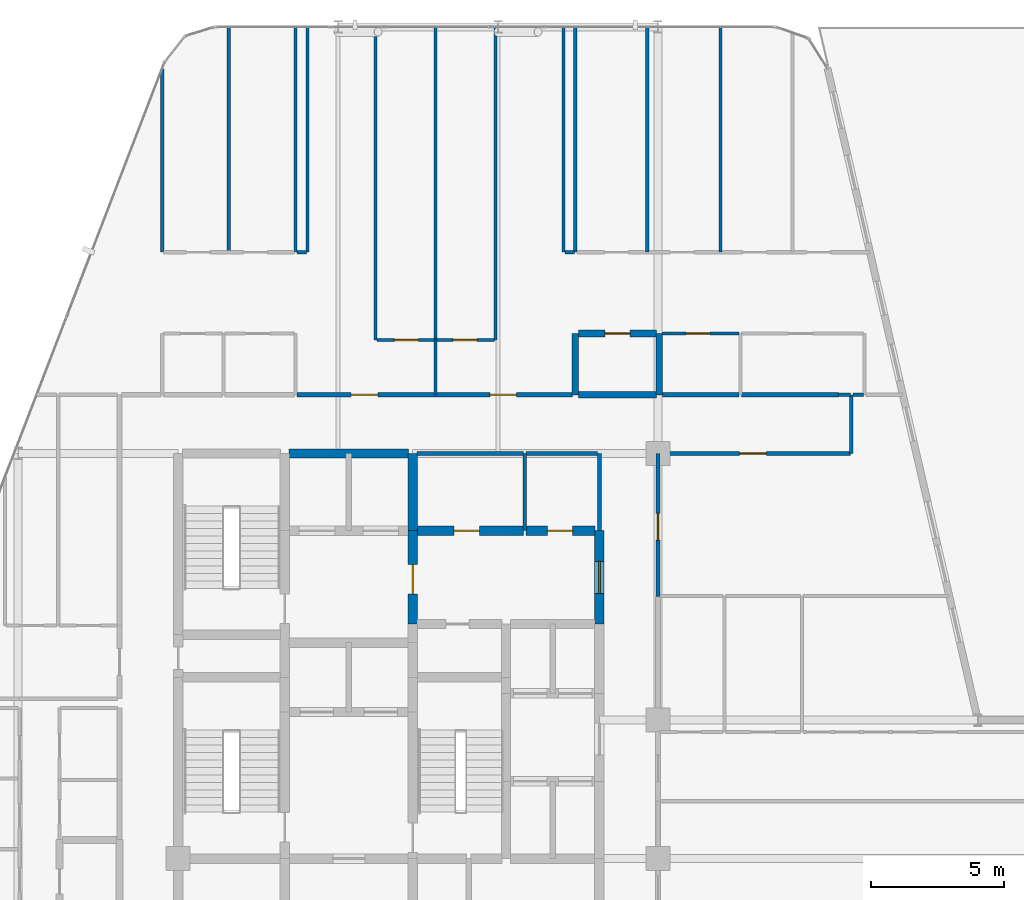
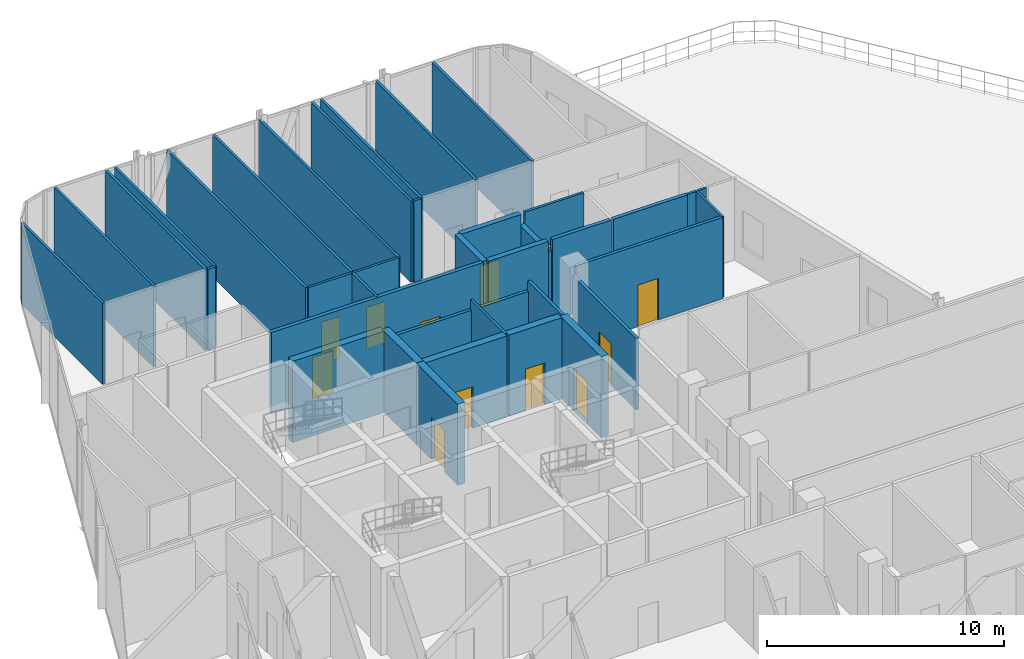
# One storey, part 25 of 28: 38 walls, 12 doors, 12 openings.
"""IFC4 building model written with IfcOpenShell, lengths in metres."""

from ifc_helpers import new_model, si_unit, direction, frame, frame_2d, origin, place, context, subcontext, project, spatial, rectangle, extrude, material, layer, layer_set, type_object, element, fill, save


model = new_model("IFC4")

# Units and contexts
model_context = context("Model", 3, precision=1e-05, world=origin(), true_north=direction((0.0, 1.0)))
body_context = subcontext(model_context, "Body", "Model", "MODEL_VIEW")
ifc_project = project(units=[si_unit("LENGTHUNIT", "METRE"), si_unit("AREAUNIT", "SQUARE_METRE"), si_unit("VOLUMEUNIT", "CUBIC_METRE"), si_unit("PLANEANGLEUNIT", "RADIAN"), si_unit("MASSUNIT", "GRAM", prefix="KILO")], contexts=[model_context])

# Site, building, storey
site_placement = place(None, origin())
site = spatial("IfcSite", under=ifc_project, at=site_placement, CompositionType="ELEMENT")
building_placement = place(site_placement, origin())
building = spatial("IfcBuilding", under=site, at=building_placement, Name="Keshet Zoharim Tower", CompositionType="ELEMENT")
storey_placement = place(building_placement, frame((0.0, 0.0, 164.60009765625)))
storey = spatial("IfcBuildingStorey", under=building, at=storey_placement, Name="L40", CompositionType="ELEMENT", Elevation=164.60009765625)

# Wall
ifc_material_1 = material(Name="Gypsum Plasterboard", Category="gypsum")
ifc_layer_1 = layer(ifc_material_1, 0.14990234375)
ifc_layer_set_1 = layer_set([ifc_layer_1], Name="Gypsum Plasterboard")
wall_type_1 = type_object("IfcWallType", Name="WL-CLIN-150", PredefinedType="STANDARD", material=ifc_layer_set_1)
wall_1_placement = place(storey_placement, frame((30.800048828125, 35.0, 0.0), z_axis=(0.0, 0.0, 1.0), x_axis=(0.0, 1.0, 0.0)))
element("IfcWall", 1, at=wall_1_placement, inside=storey, type_object=wall_type_1, Name="L40 Interior Wall 066", PredefinedType="STANDARD", context=body_context, shape_type="SweptSolid", body=[
    extrude(rectangle(XDim=2.89990234375, YDim=0.14990234375, at=frame_2d((1.449951171875, 0.0))), origin(), (0.0, 0.0, 1.0), 4.18994140625),
])

# Wall, opening, door
wall_2_placement = place(storey_placement, frame((33.0, 32.5400390625, 0.0), z_axis=(0.0, 0.0, 1.0), x_axis=(0.0, 1.0, 0.0)))
wall_2 = element("IfcWall", 2, at=wall_2_placement, inside=storey, type_object=wall_type_1, Name="L40 Interior Wall 072", PredefinedType="STANDARD", context=body_context, shape_type="SweptSolid", body=[
    extrude(rectangle(XDim=5.35986328125, YDim=0.14990234375, at=frame_2d((2.679931640625, 0.0))), origin(), (0.0, 0.0, 1.0), 3.68994140625),
])
opening_1_placement = place(wall_2_placement, frame((2.10888671875, 0.0, 0.0)))
opening_1 = element("IfcOpeningElement", 3, at=opening_1_placement, cuts=wall_2, Name="Opening D-F310", PredefinedType="OPENING", context=body_context, shape_type="SweptSolid", body=[
    extrude(rectangle(XDim=1.0, YDim=2.14990234375, at=frame_2d((0.5, 1.074951171875))), frame((0.0, 0.0849609375, 0.0), z_axis=(0.0, -1.0, 0.0), x_axis=(1.0, 0.0, 0.0)), (0.0, 0.0, 1.0), 0.169921875),
])
ifc_material_2 = material(Name="Hardwood Timber", Category="wood")
door_type_1 = type_object("IfcDoorType", Name="DR-FD30-100", OperationType="NOTDEFINED", PredefinedType="DOOR", material=ifc_material_2)
door_1_placement = place(opening_1_placement, origin())
door_1 = element("IfcDoor", 4, at=door_1_placement, inside=storey, type_object=door_type_1, Name="L40 North West Residents Services Suite Door 2", OperationType="SINGLE_SWING_LEFT", OverallHeight=2.14990234375, OverallWidth=1.0, PredefinedType="DOOR", context=body_context, shape_type="SweptSolid", body=[
    extrude(rectangle(XDim=1.0, YDim=2.14990234375, at=frame_2d((0.5, 1.074951171875))), frame((0.0, 0.02490234375, 0.0), z_axis=(0.0, -1.0, 0.0), x_axis=(1.0, 0.0, 0.0)), (0.0, 0.0, 1.0), 0.050048828125),
])
fill(opening_1, door_1)

# Walls
wall_3_placement = place(storey_placement, frame((23.9599609375, 37.89990234375, 0.0), z_axis=(0.0, 0.0, 1.0), x_axis=(1.0, 0.0, 0.0)))
element("IfcWall", 5, at=wall_3_placement, inside=storey, type_object=wall_type_1, Name="L40 Interior Wall 174", PredefinedType="STANDARD", context=body_context, shape_type="SweptSolid", body=[
    extrude(rectangle(XDim=3.9951171875, YDim=0.14990234375, at=frame_2d((1.99755859375, 0.0))), origin(), (0.0, 0.0, 1.0), 3.68994140625),
])
wall_4_placement = place(storey_placement, frame((28.044921875, 37.89990234375, 0.0), z_axis=(0.0, 0.0, 1.0), x_axis=(1.0, 0.0, 0.0)))
element("IfcWall", 6, at=wall_4_placement, inside=storey, type_object=wall_type_1, Name="L40 Interior Wall 175", PredefinedType="STANDARD", context=body_context, shape_type="SweptSolid", body=[
    extrude(rectangle(XDim=2.695068359375, YDim=0.14990234375, at=frame_2d((1.34765625, 0.0))), origin(), (0.0, 0.0, 1.0), 3.68994140625),
])

# Wall, opening, door
wall_5_placement = place(storey_placement, frame((33.06005859375, 37.89990234375, 0.0), z_axis=(0.0, 0.0, 1.0), x_axis=(1.0, 0.0, 0.0)))
wall_5 = element("IfcWall", 7, at=wall_5_placement, inside=storey, type_object=wall_type_1, Name="L40 Interior Wall 176", PredefinedType="STANDARD", context=body_context, shape_type="SweptSolid", body=[
    extrude(rectangle(XDim=7.1640625, YDim=0.14990234375, at=frame_2d((3.58203125, 0.0))), origin(), (0.0, 0.0, 1.0), 4.18994140625),
])
opening_2_placement = place(wall_5_placement, frame((3.00390625, 0.0, 0.0)))
opening_2 = element("IfcOpeningElement", 8, at=opening_2_placement, cuts=wall_5, Name="Opening D-F310", PredefinedType="OPENING", context=body_context, shape_type="SweptSolid", body=[
    extrude(rectangle(XDim=1.0, YDim=2.14990234375, at=frame_2d((0.5, 1.074951171875))), frame((0.0, 0.0849609375, 0.0), z_axis=(0.0, -1.0, 0.0), x_axis=(1.0, 0.0, 0.0)), (0.0, 0.0, 1.0), 0.169921875),
])
door_2_placement = place(opening_2_placement, origin())
door_2 = element("IfcDoor", 9, at=door_2_placement, inside=storey, type_object=door_type_1, Name="L40 North West Residents Services Suite Door 1", OperationType="SINGLE_SWING_RIGHT", OverallHeight=2.14990234375, OverallWidth=1.0, PredefinedType="DOOR", context=body_context, shape_type="SweptSolid", body=[
    extrude(rectangle(XDim=1.0, YDim=2.14990234375, at=frame_2d((0.5, 1.074951171875))), frame((0.0, 0.02490234375, 0.0), z_axis=(0.0, -1.0, 0.0), x_axis=(1.0, 0.0, 0.0)), (0.0, 0.0, 1.0), 0.050048828125),
])
fill(opening_2, door_2)

ifc_material_3 = material(Name="Concrete C60/75", Category="concrete")
ifc_layer_2 = layer(ifc_material_3, 0.35009765625)
ifc_layer_set_2 = layer_set([ifc_layer_2], Name="Concrete C60/75")
wall_type_2 = type_object("IfcWallType", Name="WL-CORE-350", PredefinedType="SHEAR", material=ifc_layer_set_2)
wall_6_placement = place(storey_placement, frame((23.800048828125, 31.5, 0.0), z_axis=(0.0, 0.0, 1.0), x_axis=(0.0, 1.0, 0.0)))
wall_6 = element("IfcWall", 10, at=wall_6_placement, inside=storey, type_object=wall_type_2, Name="L40 Core Shear Wall 042", PredefinedType="SHEAR", context=body_context, shape_type="SweptSolid", body=[
    extrude(rectangle(XDim=3.5, YDim=0.35009765625, at=frame_2d((1.75, 0.0))), origin(), (0.0, 0.0, 1.0), 4.18994140625),
])
opening_3_placement = place(wall_6_placement, frame((1.126953125, 0.0, 0.0)))
opening_3 = element("IfcOpeningElement", 11, at=opening_3_placement, cuts=wall_6, Name="Opening D-F611", PredefinedType="OPENING", context=body_context, shape_type="SweptSolid", body=[
    extrude(rectangle(XDim=1.10009765625, YDim=2.14990234375, at=frame_2d((0.550048828125, 1.074951171875))), frame((0.0, 0.18505859375, 0.0), z_axis=(0.0, -1.0, 0.0), x_axis=(1.0, 0.0, 0.0)), (0.0, 0.0, 1.0), 0.3701171875),
])
door_type_2 = type_object("IfcDoorType", Name="DR-FD60-110", OperationType="NOTDEFINED", PredefinedType="DOOR", material=ifc_material_2)
door_3_placement = place(opening_3_placement, origin())
door_3 = element("IfcDoor", 12, at=door_3_placement, inside=storey, type_object=door_type_2, Name="L40 Firefighting Lobby Fire Door", OperationType="SINGLE_SWING_RIGHT", OverallHeight=2.14990234375, OverallWidth=1.10009765625, PredefinedType="DOOR", context=body_context, shape_type="SweptSolid", body=[
    extrude(rectangle(XDim=1.10009765625, YDim=2.14990234375, at=frame_2d((0.550048828125, 1.074951171875))), frame((0.0, 0.02490234375, 0.0), z_axis=(0.0, -1.0, 0.0), x_axis=(1.0, 0.0, 0.0)), (0.0, 0.0, 1.0), 0.050048828125),
])
fill(opening_3, door_3)

# Wall
wall_7_placement = place(storey_placement, frame((23.800048828125, 35.0, 0.0), z_axis=(0.0, 0.0, 1.0), x_axis=(0.0, 1.0, 0.0)))
element("IfcWall", 13, at=wall_7_placement, inside=storey, type_object=wall_type_2, Name="L40 Core Shear Wall 043", PredefinedType="SHEAR", context=body_context, shape_type="SweptSolid", body=[
    extrude(rectangle(XDim=2.89990234375, YDim=0.35009765625, at=frame_2d((1.449951171875, 0.0))), origin(), (0.0, 0.0, 1.0), 4.18994140625),
])

# Wall, opening, door
wall_8_placement = place(storey_placement, frame((30.800048828125, 31.5, 0.0), z_axis=(0.0, 0.0, 1.0), x_axis=(0.0, 1.0, 0.0)))
wall_8 = element("IfcWall", 14, at=wall_8_placement, inside=storey, type_object=wall_type_2, Name="L40 Core Shear Wall 065", PredefinedType="SHEAR", context=body_context, shape_type="SweptSolid", body=[
    extrude(rectangle(XDim=3.5, YDim=0.35009765625, at=frame_2d((1.75, 0.0))), origin(), (0.0, 0.0, 1.0), 4.18994140625),
])
opening_4_placement = place(wall_8_placement, frame((1.14990234375, 0.0, 0.0)))
opening_4 = element("IfcOpeningElement", 15, at=opening_4_placement, cuts=wall_8, Name="Opening D-F612", PredefinedType="OPENING", context=body_context, shape_type="SweptSolid", body=[
    extrude(rectangle(XDim=1.199951171875, YDim=2.199951171875, at=frame_2d((0.60009765625, 1.10009765625))), frame((0.0, 0.18505859375, 0.0), z_axis=(0.0, -1.0, 0.0), x_axis=(1.0, 0.0, 0.0)), (0.0, 0.0, 1.0), 0.3701171875),
])
door_type_3 = type_object("IfcDoorType", Name="DR-FD60-120", OperationType="NOTDEFINED", PredefinedType="DOOR", material=ifc_material_2)
door_4_placement = place(opening_4_placement, origin())
door_4 = element("IfcDoor", 16, at=door_4_placement, inside=storey, type_object=door_type_3, Name="L40 North Lift Lobby East Fire Door", OperationType="SINGLE_SWING_RIGHT", OverallHeight=2.199951171875, OverallWidth=1.199951171875, PredefinedType="DOOR", context=body_context, shape_type="SweptSolid", body=[
    extrude(rectangle(XDim=1.199951171875, YDim=2.199951171875, at=frame_2d((0.60009765625, 1.10009765625))), frame((0.0, 0.02490234375, 0.0), z_axis=(0.0, -1.0, 0.0), x_axis=(1.0, 0.0, 0.0)), (0.0, 0.0, 1.0), 0.050048828125),
])
fill(opening_4, door_4)

wall_9_placement = place(storey_placement, frame((23.9599609375, 35.0, 0.0), z_axis=(0.0, 0.0, 1.0), x_axis=(1.0, 0.0, 0.0)))
wall_9 = element("IfcWall", 17, at=wall_9_placement, inside=storey, type_object=wall_type_2, Name="L40 Core Shear Wall 170", PredefinedType="SHEAR", context=body_context, shape_type="SweptSolid", body=[
    extrude(rectangle(XDim=3.9951171875, YDim=0.35009765625, at=frame_2d((1.99755859375, 0.0))), origin(), (0.0, 0.0, 1.0), 4.18994140625),
])
opening_5_placement = place(wall_9_placement, frame((1.39306640625, 0.0, 0.0)))
opening_5 = element("IfcOpeningElement", 18, at=opening_5_placement, cuts=wall_9, Name="Opening D-F695", PredefinedType="OPENING", context=body_context, shape_type="SweptSolid", body=[
    extrude(rectangle(XDim=0.949951171875, YDim=2.14990234375, at=frame_2d((0.47509765625, 1.074951171875))), frame((0.0, 0.18505859375, 0.0), z_axis=(0.0, -1.0, 0.0), x_axis=(1.0, 0.0, 0.0)), (0.0, 0.0, 1.0), 0.3701171875),
])
door_type_4 = type_object("IfcDoorType", Name="DR-FD60-095", OperationType="NOTDEFINED", PredefinedType="DOOR", material=ifc_material_2)
door_5_placement = place(opening_5_placement, frame((0.949951171875, 0.0, 0.0), z_axis=(0.0, 0.0, 1.0), x_axis=(-1.0, 0.0, 0.0)))
door_5 = element("IfcDoor", 19, at=door_5_placement, inside=storey, type_object=door_type_4, Name="L40 Laundry Room Door", OperationType="SINGLE_SWING_RIGHT", OverallHeight=2.14990234375, OverallWidth=0.949951171875, PredefinedType="DOOR", context=body_context, shape_type="SweptSolid", body=[
    extrude(rectangle(XDim=0.949951171875, YDim=2.14990234375, at=frame_2d((0.47509765625, 1.074951171875))), frame((0.0, 0.02490234375, 0.0), z_axis=(0.0, -1.0, 0.0), x_axis=(1.0, 0.0, 0.0)), (0.0, 0.0, 1.0), 0.050048828125),
])
fill(opening_5, door_5)

wall_10_placement = place(storey_placement, frame((28.044921875, 35.0, 0.0), z_axis=(0.0, 0.0, 1.0), x_axis=(1.0, 0.0, 0.0)))
wall_10 = element("IfcWall", 20, at=wall_10_placement, inside=storey, type_object=wall_type_2, Name="L40 Core Shear Wall 171", PredefinedType="SHEAR", context=body_context, shape_type="SweptSolid", body=[
    extrude(rectangle(XDim=2.594970703125, YDim=0.35009765625, at=frame_2d((1.29736328125, 0.0))), origin(), (0.0, 0.0, 1.0), 4.18994140625),
])
opening_6_placement = place(wall_10_placement, frame((0.805908203125, 0.0, 0.0)))
opening_6 = element("IfcOpeningElement", 21, at=opening_6_placement, cuts=wall_10, Name="Opening D-F695", PredefinedType="OPENING", context=body_context, shape_type="SweptSolid", body=[
    extrude(rectangle(XDim=0.949951171875, YDim=2.14990234375, at=frame_2d((0.47509765625, 1.074951171875))), frame((0.0, 0.18505859375, 0.0), z_axis=(0.0, -1.0, 0.0), x_axis=(1.0, 0.0, 0.0)), (0.0, 0.0, 1.0), 0.3701171875),
])
door_6_placement = place(opening_6_placement, frame((0.949951171875, 0.0, 0.0), z_axis=(0.0, 0.0, 1.0), x_axis=(-1.0, 0.0, 0.0)))
door_6 = element("IfcDoor", 22, at=door_6_placement, inside=storey, type_object=door_type_4, Name="L40 Quiet Study Room Door", OperationType="SINGLE_SWING_LEFT", OverallHeight=2.14990234375, OverallWidth=0.949951171875, PredefinedType="DOOR", context=body_context, shape_type="SweptSolid", body=[
    extrude(rectangle(XDim=0.949951171875, YDim=2.14990234375, at=frame_2d((0.47509765625, 1.074951171875))), frame((0.0, 0.02490234375, 0.0), z_axis=(0.0, -1.0, 0.0), x_axis=(1.0, 0.0, 0.0)), (0.0, 0.0, 1.0), 0.050048828125),
])
fill(opening_6, door_6)

# Wall
wall_11_placement = place(storey_placement, frame((19.159912109375, 37.89990234375, 0.0), z_axis=(0.0, 0.0, 1.0), x_axis=(1.0, 0.0, 0.0)))
element("IfcWall", 23, at=wall_11_placement, inside=storey, type_object=wall_type_2, Name="L40 Core Shear Wall 173", PredefinedType="SHEAR", context=body_context, shape_type="SweptSolid", body=[
    extrude(rectangle(XDim=4.47998046875, YDim=0.35009765625, at=frame_2d((2.239990234375, 0.0))), origin(), (0.0, 0.0, 1.0), 4.18994140625),
])

# Wall, openings, doors
ifc_layer_3 = layer(ifc_material_1, 0.179931640625)
ifc_layer_set_3 = layer_set([ifc_layer_3], Name="Gypsum Plasterboard")
wall_type_3 = type_object("IfcWallType", Name="WL-CORR-180", PredefinedType="STANDARD", material=ifc_layer_set_3)
wall_12_placement = place(storey_placement, frame((19.455078125, 40.10009765625, 0.0), z_axis=(0.0, 0.0, 1.0), x_axis=(1.0, 0.0, 0.0)))
wall_12 = element("IfcWall", 24, at=wall_12_placement, inside=storey, type_object=wall_type_3, Name="L40 Interior Wall 182", PredefinedType="STANDARD", context=body_context, shape_type="SweptSolid", body=[
    extrude(rectangle(XDim=10.344970703125, YDim=0.179931640625, at=frame_2d((5.17236328125, 0.0))), origin(), (0.0, 0.0, 1.0), 4.18994140625),
])
opening_7_placement = place(wall_12_placement, frame((2.034912109375, 0.0, 0.0)))
opening_7 = element("IfcOpeningElement", 25, at=opening_7_placement, cuts=wall_12, Name="Opening D-F310", PredefinedType="OPENING", context=body_context, shape_type="SweptSolid", body=[
    extrude(rectangle(XDim=1.0, YDim=2.14990234375, at=frame_2d((0.5, 1.074951171875))), frame((0.0, 0.10009765625, 0.0), z_axis=(0.0, -1.0, 0.0), x_axis=(1.0, 0.0, 0.0)), (0.0, 0.0, 1.0), 0.199951171875),
])
opening_8_placement = place(wall_12_placement, frame((7.235107421875, 0.0, 0.0)))
opening_8 = element("IfcOpeningElement", 26, at=opening_8_placement, cuts=wall_12, Name="Opening D-F310", PredefinedType="OPENING", context=body_context, shape_type="SweptSolid", body=[
    extrude(rectangle(XDim=1.0, YDim=2.14990234375, at=frame_2d((0.5, 1.074951171875))), frame((0.0, 0.10009765625, 0.0), z_axis=(0.0, -1.0, 0.0), x_axis=(1.0, 0.0, 0.0)), (0.0, 0.0, 1.0), 0.199951171875),
])
door_7_placement = place(opening_7_placement, origin())
door_7 = element("IfcDoor", 27, at=door_7_placement, inside=storey, type_object=door_type_1, Name="Apartment 4004 Entrance Door", OperationType="SINGLE_SWING_LEFT", OverallHeight=2.14990234375, OverallWidth=1.0, PredefinedType="DOOR", context=body_context, shape_type="SweptSolid", body=[
    extrude(rectangle(XDim=1.0, YDim=2.14990234375, at=frame_2d((0.5, 1.074951171875))), frame((0.0, 0.02490234375, 0.0), z_axis=(0.0, -1.0, 0.0), x_axis=(1.0, 0.0, 0.0)), (0.0, 0.0, 1.0), 0.050048828125),
])
fill(opening_7, door_7)
door_8_placement = place(opening_8_placement, origin())
door_8 = element("IfcDoor", 28, at=door_8_placement, inside=storey, type_object=door_type_1, Name="Apartment 4005 Entrance Door", OperationType="SINGLE_SWING_RIGHT", OverallHeight=2.14990234375, OverallWidth=1.0, PredefinedType="DOOR", context=body_context, shape_type="SweptSolid", body=[
    extrude(rectangle(XDim=1.0, YDim=2.14990234375, at=frame_2d((0.5, 1.074951171875))), frame((0.0, 0.02490234375, 0.0), z_axis=(0.0, -1.0, 0.0), x_axis=(1.0, 0.0, 0.0)), (0.0, 0.0, 1.0), 0.050048828125),
])
fill(opening_8, door_8)

# Walls
wall_13_placement = place(storey_placement, frame((33.1640625, 40.10009765625, 0.0), z_axis=(0.0, 0.0, 1.0), x_axis=(1.0, 0.0, 0.0)))
element("IfcWall", 29, at=wall_13_placement, inside=storey, type_object=wall_type_3, Name="L40 Interior Wall 184", PredefinedType="STANDARD", context=body_context, shape_type="SweptSolid", body=[
    extrude(rectangle(XDim=2.880859375, YDim=0.179931640625, at=frame_2d((1.4404296875, 0.0))), origin(), (0.0, 0.0, 1.0), 4.18994140625),
])
wall_14_placement = place(storey_placement, frame((36.135009765625, 40.10009765625, 0.0), z_axis=(0.0, 0.0, 1.0), x_axis=(1.0, 0.0, 0.0)))
element("IfcWall", 30, at=wall_14_placement, inside=storey, type_object=wall_type_3, Name="L40 Interior Wall 185", PredefinedType="STANDARD", context=body_context, shape_type="SweptSolid", body=[
    extrude(rectangle(XDim=3.6279296875, YDim=0.179931640625, at=frame_2d((1.81396484375, 0.0))), origin(), (0.0, 0.0, 1.0), 4.18994140625),
])
ifc_material_4 = material(Name="Concrete C50/60", Category="concrete")
ifc_layer_4 = layer(ifc_material_4, 0.25)
ifc_layer_set_4 = layer_set([ifc_layer_4], Name="Concrete C50/60")
wall_type_4 = type_object("IfcWallType", Name="WL-MAMAD-250", PredefinedType="STANDARD", material=ifc_layer_set_4)
wall_15_placement = place(storey_placement, frame((29.89990234375, 40.10009765625, 0.0), z_axis=(0.0, 0.0, 1.0), x_axis=(0.0, 1.0, 0.0)))
element("IfcWall", 31, at=wall_15_placement, inside=storey, type_object=wall_type_4, Name="L40 Interior Wall 058", PredefinedType="STANDARD", context=body_context, shape_type="SweptSolid", body=[
    extrude(rectangle(XDim=2.2998046875, YDim=0.25, at=frame_2d((1.14990234375, 0.0))), origin(), (0.0, 0.0, 1.0), 4.18994140625),
])
wall_16_placement = place(storey_placement, frame((33.050048828125, 40.10009765625, 0.0), z_axis=(0.0, 0.0, 1.0), x_axis=(0.0, 1.0, 0.0)))
element("IfcWall", 32, at=wall_16_placement, inside=storey, type_object=wall_type_4, Name="L40 Interior Wall 073", PredefinedType="STANDARD", context=body_context, shape_type="SweptSolid", body=[
    extrude(rectangle(XDim=2.2998046875, YDim=0.25, at=frame_2d((1.14990234375, 0.0))), origin(), (0.0, 0.0, 1.0), 3.58984375),
])
wall_17_placement = place(storey_placement, frame((30.02001953125, 40.10009765625, 0.0), z_axis=(0.0, 0.0, 1.0), x_axis=(1.0, 0.0, 0.0)))
element("IfcWall", 33, at=wall_17_placement, inside=storey, type_object=wall_type_4, Name="L40 Interior Wall 183", PredefinedType="STANDARD", context=body_context, shape_type="SweptSolid", body=[
    extrude(rectangle(XDim=2.924072265625, YDim=0.25, at=frame_2d((1.4619140625, 0.0))), origin(), (0.0, 0.0, 1.0), 4.18994140625),
])

# Wall, opening, door
wall_18_placement = place(storey_placement, frame((30.02001953125, 42.39990234375, 0.0), z_axis=(0.0, 0.0, 1.0), x_axis=(1.0, 0.0, 0.0)))
wall_18 = element("IfcWall", 34, at=wall_18_placement, inside=storey, type_object=wall_type_4, Name="L40 Interior Wall 192", PredefinedType="STANDARD", context=body_context, shape_type="SweptSolid", body=[
    extrude(rectangle(XDim=2.924072265625, YDim=0.25, at=frame_2d((1.4619140625, 0.0))), origin(), (0.0, 0.0, 1.0), 4.18994140625),
])
opening_9_placement = place(wall_18_placement, frame((0.987060546875, 0.0, 0.0)))
opening_9 = element("IfcOpeningElement", 35, at=opening_9_placement, cuts=wall_18, Name="Opening D-F695", PredefinedType="OPENING", context=body_context, shape_type="SweptSolid", body=[
    extrude(rectangle(XDim=0.949951171875, YDim=2.14990234375, at=frame_2d((0.47509765625, 1.074951171875))), frame((0.0, 0.135009765625, 0.0), z_axis=(0.0, -1.0, 0.0), x_axis=(1.0, 0.0, 0.0)), (0.0, 0.0, 1.0), 0.27001953125),
])
door_9_placement = place(opening_9_placement, origin())
door_9 = element("IfcDoor", 36, at=door_9_placement, inside=storey, type_object=door_type_4, Name="Apartment 4005 Study and Shelter Room Door", OperationType="SINGLE_SWING_LEFT", OverallHeight=2.14990234375, OverallWidth=0.949951171875, PredefinedType="DOOR", context=body_context, shape_type="SweptSolid", body=[
    extrude(rectangle(XDim=0.949951171875, YDim=2.14990234375, at=frame_2d((0.47509765625, 1.074951171875))), frame((0.0, 0.02490234375, 0.0), z_axis=(0.0, -1.0, 0.0), x_axis=(1.0, 0.0, 0.0)), (0.0, 0.0, 1.0), 0.050048828125),
])
fill(opening_9, door_9)

# Walls
ifc_layer_5 = layer(ifc_material_1, 0.1201171875)
ifc_layer_set_5 = layer_set([ifc_layer_5], Name="Gypsum Plasterboard")
wall_type_5 = type_object("IfcWallType", Name="WL-PART-120", PredefinedType="PARTITIONING", material=ifc_layer_set_5)
wall_19_placement = place(storey_placement, frame((14.39990234375, 45.449951171875, 0.0), z_axis=(0.0, 0.0, 1.0), x_axis=(0.0, 1.0, 0.0)))
element("IfcWall", 37, at=wall_19_placement, inside=storey, type_object=wall_type_5, Name="L40 Interior Wall 014", PredefinedType="PARTITIONING", context=body_context, shape_type="SweptSolid", body=[
    extrude(rectangle(XDim=6.880126953125, YDim=0.1201171875, at=frame_2d((3.43994140625, 0.0))), origin(), (0.0, 0.0, 1.0), 4.18994140625),
])
for number, where, z_axis, x_axis, name in (
    (38, (16.89990234375, 45.449951171875, 0.0), (0.0, 0.0, 1.0), (0.0, 1.0, 0.0), "L40 Interior Wall 022"),
    (39, (19.39990234375, 45.449951171875, 0.0), (0.0, 0.0, 1.0), (0.0, 1.0, 0.0), "L40 Interior Wall 031"),
    (40, (19.85009765625, 45.449951171875, 0.0), (0.0, 0.0, 1.0), (0.0, 1.0, 0.0), "L40 Interior Wall 032"),
):
    element("IfcWall", number, at=place(storey_placement, frame(where, z_axis=z_axis, x_axis=x_axis)), inside=storey, type_object=wall_type_5, Name=name, PredefinedType="PARTITIONING", context=body_context, shape_type="SweptSolid", body=[
        extrude(rectangle(XDim=8.43994140625, YDim=0.1201171875, at=frame_2d((4.219970703125, 0.0))), origin(), (0.0, 0.0, 1.0), 4.18994140625),
    ])
wall_20_placement = place(storey_placement, frame((22.39990234375, 42.14990234375, 0.0), z_axis=(0.0, 0.0, 1.0), x_axis=(0.0, 1.0, 0.0)))
element("IfcWall", 41, at=wall_20_placement, inside=storey, type_object=wall_type_5, Name="L40 Interior Wall 036", PredefinedType="PARTITIONING", context=body_context, shape_type="SweptSolid", body=[
    extrude(rectangle(XDim=11.739990234375, YDim=0.1201171875, at=frame_2d((5.8701171875, 0.0))), origin(), (0.0, 0.0, 1.0), 4.18994140625),
])
wall_21_placement = place(storey_placement, frame((24.64990234375, 40.10009765625, 0.0), z_axis=(0.0, 0.0, 1.0), x_axis=(0.0, 1.0, 0.0)))
element("IfcWall", 42, at=wall_21_placement, inside=storey, type_object=wall_type_5, Name="L40 Interior Wall 044", PredefinedType="PARTITIONING", context=body_context, shape_type="SweptSolid", body=[
    extrude(rectangle(XDim=2.0498046875, YDim=0.1201171875, at=frame_2d((1.02490234375, 0.0))), origin(), (0.0, 0.0, 1.0), 4.18994140625),
])
for number, where, z_axis, x_axis, name in (
    (43, (24.64990234375, 42.14990234375, 0.0), (0.0, 0.0, 1.0), (0.0, 1.0, 0.0), "L40 Interior Wall 045"),
    (44, (26.89990234375, 42.14990234375, 0.0), (0.0, 0.0, 1.0), (0.0, 1.0, 0.0), "L40 Interior Wall 047"),
):
    element("IfcWall", number, at=place(storey_placement, frame(where, z_axis=z_axis, x_axis=x_axis)), inside=storey, type_object=wall_type_5, Name=name, PredefinedType="PARTITIONING", context=body_context, shape_type="SweptSolid", body=[
        extrude(rectangle(XDim=11.739990234375, YDim=0.1201171875, at=frame_2d((5.8701171875, 0.0))), origin(), (0.0, 0.0, 1.0), 4.18994140625),
    ])
wall_22_placement = place(storey_placement, frame((28.0, 35.0, 0.0), z_axis=(0.0, 0.0, 1.0), x_axis=(0.0, 1.0, 0.0)))
element("IfcWall", 45, at=wall_22_placement, inside=storey, type_object=wall_type_5, Name="L40 Interior Wall 052", PredefinedType="PARTITIONING", context=body_context, shape_type="SweptSolid", body=[
    extrude(rectangle(XDim=2.89990234375, YDim=0.1201171875, at=frame_2d((1.449951171875, 0.0))), origin(), (0.0, 0.0, 1.0), 4.18994140625),
])
for number, where, z_axis, x_axis, name in (
    (46, (29.449951171875, 45.449951171875, 0.0), (0.0, 0.0, 1.0), (0.0, 1.0, 0.0), "L40 Interior Wall 057"),
    (47, (29.89990234375, 45.449951171875, 0.0), (0.0, 0.0, 1.0), (0.0, 1.0, 0.0), "L40 Interior Wall 059"),
    (48, (32.60009765625, 45.449951171875, 0.0), (0.0, 0.0, 1.0), (0.0, 1.0, 0.0), "L40 Interior Wall 067"),
    (49, (35.35009765625, 45.449951171875, 0.0), (0.0, 0.0, 1.0), (0.0, 1.0, 0.0), "L40 Interior Wall 076"),
):
    element("IfcWall", number, at=place(storey_placement, frame(where, z_axis=z_axis, x_axis=x_axis)), inside=storey, type_object=wall_type_5, Name=name, PredefinedType="PARTITIONING", context=body_context, shape_type="SweptSolid", body=[
        extrude(rectangle(XDim=8.43994140625, YDim=0.1201171875, at=frame_2d((4.219970703125, 0.0))), origin(), (0.0, 0.0, 1.0), 4.18994140625),
    ])
wall_23_placement = place(storey_placement, frame((40.25, 37.89990234375, 0.0), z_axis=(0.0, 0.0, 1.0), x_axis=(0.0, 1.0, 0.0)))
element("IfcWall", 50, at=wall_23_placement, inside=storey, type_object=wall_type_5, Name="L40 Interior Wall 084", PredefinedType="PARTITIONING", context=body_context, shape_type="SweptSolid", body=[
    extrude(rectangle(XDim=2.2001953125, YDim=0.1201171875, at=frame_2d((1.10009765625, 0.0))), origin(), (0.0, 0.0, 1.0), 4.18994140625),
])
wall_24_placement = place(storey_placement, frame((39.762939453125, 40.10009765625, 0.0), z_axis=(0.0, 0.0, 1.0), x_axis=(1.0, 0.0, 0.0)))
element("IfcWall", 51, at=wall_24_placement, inside=storey, type_object=wall_type_5, Name="L40 Interior Wall 186", PredefinedType="PARTITIONING", context=body_context, shape_type="SweptSolid", body=[
    extrude(rectangle(XDim=0.462158203125, YDim=0.1201171875, at=frame_2d((0.23095703125, 0.0))), origin(), (0.0, 0.0, 1.0), 4.18994140625),
])
wall_25_placement = place(storey_placement, frame((40.31494140625, 40.10009765625, 0.0), z_axis=(0.0, 0.0, 1.0), x_axis=(1.0, 0.0, 0.0)))
element("IfcWall", 52, at=wall_25_placement, inside=storey, type_object=wall_type_5, Name="L40 Interior Wall 187", PredefinedType="PARTITIONING", context=body_context, shape_type="SweptSolid", body=[
    extrude(rectangle(XDim=0.39208984375, YDim=0.1201171875, at=frame_2d((0.196044921875, 0.0))), origin(), (0.0, 0.0, 1.0), 4.18994140625),
])

# Wall, openings, doors
wall_26_placement = place(storey_placement, frame((22.455078125, 42.14990234375, 0.0), z_axis=(0.0, 0.0, 1.0), x_axis=(1.0, 0.0, 0.0)))
wall_26 = element("IfcWall", 53, at=wall_26_placement, inside=storey, type_object=wall_type_5, Name="L40 Interior Wall 189", PredefinedType="PARTITIONING", context=body_context, shape_type="SweptSolid", body=[
    extrude(rectangle(XDim=4.409912109375, YDim=0.1201171875, at=frame_2d((2.205078125, 0.0))), origin(), (0.0, 0.0, 1.0), 4.18994140625),
])
opening_10_placement = place(wall_26_placement, frame((0.655029296875, 0.0, 0.0)))
opening_10 = element("IfcOpeningElement", 54, at=opening_10_placement, cuts=wall_26, Name="Opening D-IN90", PredefinedType="OPENING", context=body_context, shape_type="SweptSolid", body=[
    extrude(rectangle(XDim=0.89990234375, YDim=2.14990234375, at=frame_2d((0.449951171875, 1.074951171875))), frame((0.0, 0.070068359375, 0.0), z_axis=(0.0, -1.0, 0.0), x_axis=(1.0, 0.0, 0.0)), (0.0, 0.0, 1.0), 0.14013671875),
])
opening_11_placement = place(wall_26_placement, frame((2.85498046875, 0.0, 0.0)))
opening_11 = element("IfcOpeningElement", 55, at=opening_11_placement, cuts=wall_26, Name="Opening D-IN90", PredefinedType="OPENING", context=body_context, shape_type="SweptSolid", body=[
    extrude(rectangle(XDim=0.89990234375, YDim=2.14990234375, at=frame_2d((0.449951171875, 1.074951171875))), frame((0.0, 0.070068359375, 0.0), z_axis=(0.0, -1.0, 0.0), x_axis=(1.0, 0.0, 0.0)), (0.0, 0.0, 1.0), 0.14013671875),
])
door_type_5 = type_object("IfcDoorType", Name="DR-INT-090", OperationType="NOTDEFINED", PredefinedType="DOOR", material=ifc_material_2)
door_10_placement = place(opening_10_placement, origin())
door_10 = element("IfcDoor", 56, at=door_10_placement, inside=storey, type_object=door_type_5, Name="Apartment 4004 Formal Dining Room Door", OperationType="SINGLE_SWING_LEFT", OverallHeight=2.14990234375, OverallWidth=0.89990234375, PredefinedType="DOOR", context=body_context, shape_type="SweptSolid", body=[
    extrude(rectangle(XDim=0.89990234375, YDim=2.14990234375, at=frame_2d((0.449951171875, 1.074951171875))), frame((0.0, 0.02490234375, 0.0), z_axis=(0.0, -1.0, 0.0), x_axis=(1.0, 0.0, 0.0)), (0.0, 0.0, 1.0), 0.050048828125),
])
fill(opening_10, door_10)
door_11_placement = place(opening_11_placement, origin())
door_11 = element("IfcDoor", 57, at=door_11_placement, inside=storey, type_object=door_type_5, Name="Apartment 4005 Formal Dining Room Door", OperationType="SINGLE_SWING_RIGHT", OverallHeight=2.14990234375, OverallWidth=0.89990234375, PredefinedType="DOOR", context=body_context, shape_type="SweptSolid", body=[
    extrude(rectangle(XDim=0.89990234375, YDim=2.14990234375, at=frame_2d((0.449951171875, 1.074951171875))), frame((0.0, 0.02490234375, 0.0), z_axis=(0.0, -1.0, 0.0), x_axis=(1.0, 0.0, 0.0)), (0.0, 0.0, 1.0), 0.050048828125),
])
fill(opening_11, door_11)

# Walls
wall_27_placement = place(storey_placement, frame((19.455078125, 45.449951171875, 0.0), z_axis=(0.0, 0.0, 1.0), x_axis=(1.0, 0.0, 0.0)))
element("IfcWall", 58, at=wall_27_placement, inside=storey, type_object=wall_type_5, Name="L40 Interior Wall 196", PredefinedType="PARTITIONING", context=body_context, shape_type="SweptSolid", body=[
    extrude(rectangle(XDim=0.35986328125, YDim=0.1201171875, at=frame_2d((0.179931640625, 0.0))), origin(), (0.0, 0.0, 1.0), 4.18994140625),
])
wall_28_placement = place(storey_placement, frame((29.5048828125, 45.449951171875, 0.0), z_axis=(0.0, 0.0, 1.0), x_axis=(1.0, 0.0, 0.0)))
element("IfcWall", 59, at=wall_28_placement, inside=storey, type_object=wall_type_5, Name="L40 Interior Wall 197", PredefinedType="PARTITIONING", context=body_context, shape_type="SweptSolid", body=[
    extrude(rectangle(XDim=0.360107421875, YDim=0.1201171875, at=frame_2d((0.18017578125, 0.0))), origin(), (0.0, 0.0, 1.0), 4.18994140625),
])

# Wall, opening, door
ifc_layer_6 = layer(ifc_material_1, 0.1201171875)
ifc_layer_set_6 = layer_set([ifc_layer_6], Name="Gypsum Plasterboard")
wall_type_6 = type_object("IfcWallType", Name="WL-WET-120", PredefinedType="PARTITIONING", material=ifc_layer_set_6)
wall_29_placement = place(storey_placement, frame((33.1640625, 42.39990234375, 0.0), z_axis=(0.0, 0.0, 1.0), x_axis=(1.0, 0.0, 0.0)))
wall_29 = element("IfcWall", 60, at=wall_29_placement, inside=storey, type_object=wall_type_6, Name="L40 Interior Wall 193", PredefinedType="PARTITIONING", context=body_context, shape_type="SweptSolid", body=[
    extrude(rectangle(XDim=2.880859375, YDim=0.1201171875, at=frame_2d((1.4404296875, 0.0))), origin(), (0.0, 0.0, 1.0), 4.18994140625),
])
opening_12_placement = place(wall_29_placement, frame((0.884033203125, 0.0, 0.0)))
opening_12 = element("IfcOpeningElement", 61, at=opening_12_placement, cuts=wall_29, Name="Opening D-WT90", PredefinedType="OPENING", context=body_context, shape_type="SweptSolid", body=[
    extrude(rectangle(XDim=0.89990234375, YDim=2.10009765625, at=frame_2d((0.449951171875, 1.050048828125))), frame((0.0, 0.070068359375, 0.0), z_axis=(0.0, -1.0, 0.0), x_axis=(1.0, 0.0, 0.0)), (0.0, 0.0, 1.0), 0.14013671875),
])
door_type_6 = type_object("IfcDoorType", Name="DR-WET-090", OperationType="NOTDEFINED", PredefinedType="DOOR", material=ifc_material_2)
door_12_placement = place(opening_12_placement, origin())
door_12 = element("IfcDoor", 62, at=door_12_placement, inside=storey, type_object=door_type_6, Name="Apartment 4005 Bathroom Door", OperationType="SINGLE_SWING_RIGHT", OverallHeight=2.10009765625, OverallWidth=0.89990234375, PredefinedType="DOOR", context=body_context, shape_type="SweptSolid", body=[
    extrude(rectangle(XDim=0.89990234375, YDim=2.10009765625, at=frame_2d((0.449951171875, 1.050048828125))), frame((0.0, 0.02490234375, 0.0), z_axis=(0.0, -1.0, 0.0), x_axis=(1.0, 0.0, 0.0)), (0.0, 0.0, 1.0), 0.050048828125),
])
fill(opening_12, door_12)

save(model, "model.ifc")
